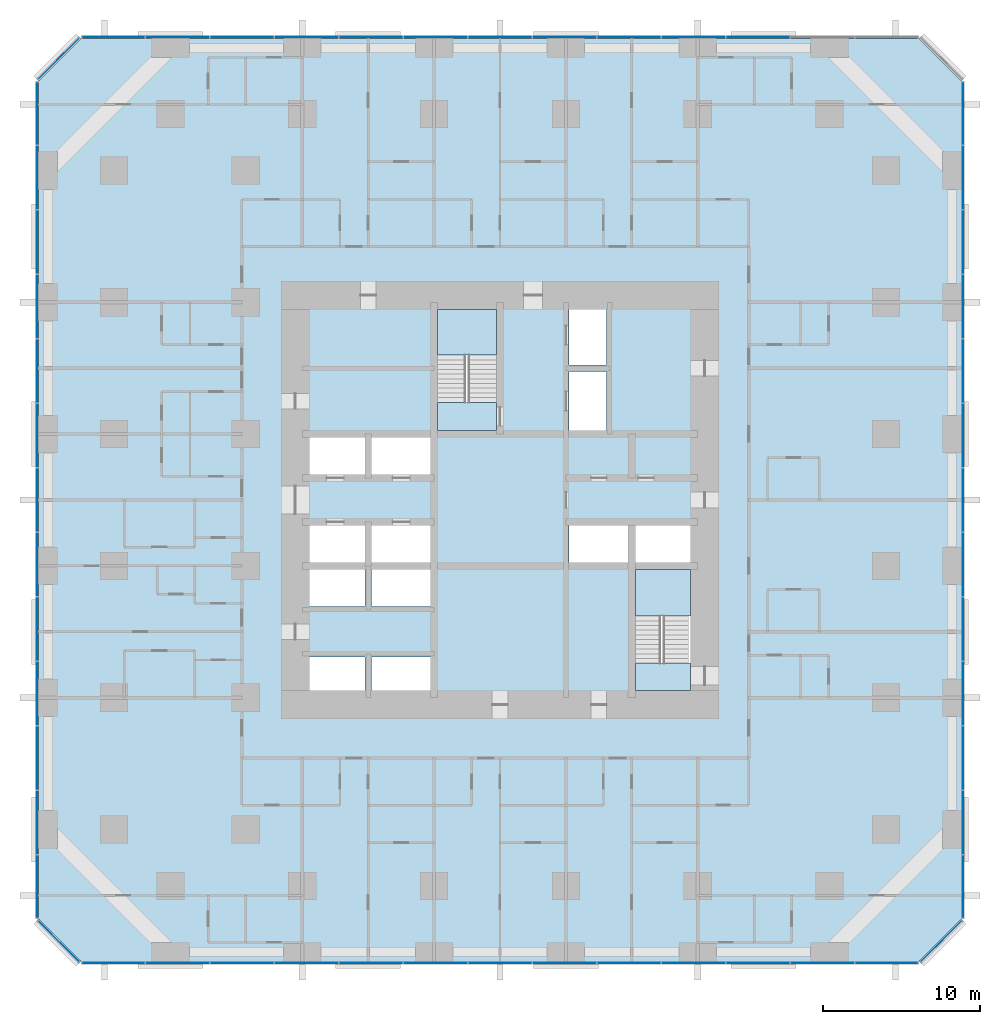
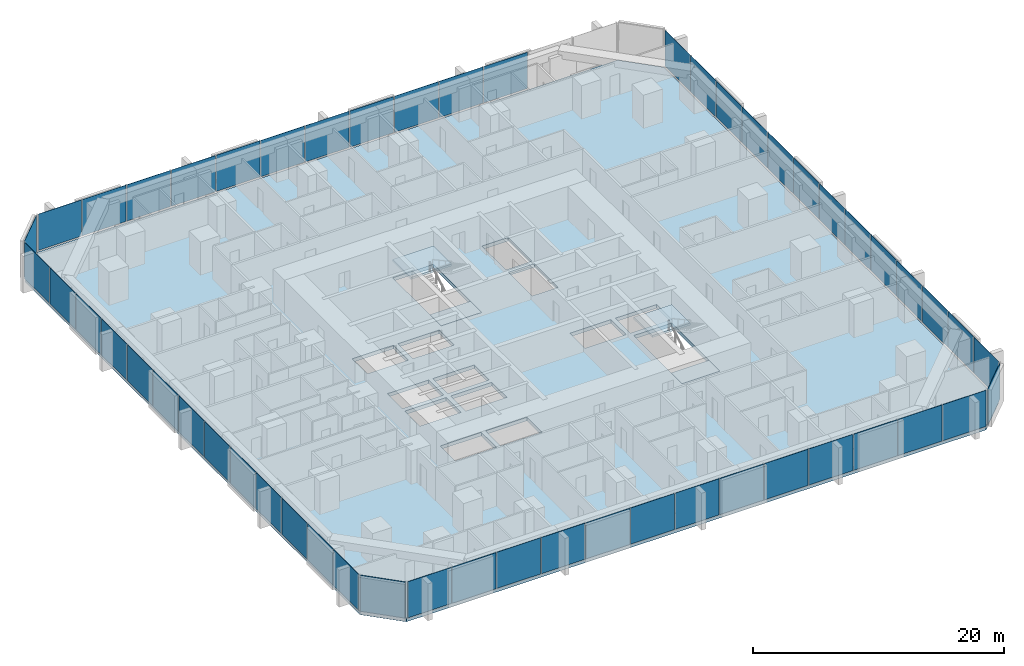
# One storey, part 9 of 17: 53 plates, 5 slabs, 9 elements without a shape of their own.
"""IFC4 building model written with IfcOpenShell, lengths in metres."""

from ifc_helpers import new_model, si_unit, direction, frame, origin, origin_2d, place, context, subcontext, project, spatial, polyline, rectangle, outline, extrude, material, layer, layer_set, type_object, element, aggregate, save


model = new_model("IFC4")

# Units and contexts
model_context = context("Model", 3, precision=1e-05, world=origin(), true_north=direction((0.0, 1.0)))
body_context = subcontext(model_context, "Body", "Model", "MODEL_VIEW")
ifc_project = project(units=[si_unit("LENGTHUNIT", "METRE"), si_unit("AREAUNIT", "SQUARE_METRE"), si_unit("VOLUMEUNIT", "CUBIC_METRE"), si_unit("PLANEANGLEUNIT", "RADIAN"), si_unit("MASSUNIT", "GRAM", prefix="KILO")], contexts=[model_context])

# Site, building, storey
site_placement = place(None, origin())
site = spatial("IfcSite", under=ifc_project, at=site_placement, CompositionType="ELEMENT")
building_placement = place(site_placement, origin())
building = spatial("IfcBuilding", under=site, at=building_placement, Name="Dunama Terrace Hotel", CompositionType="ELEMENT")
storey_placement = place(building_placement, frame((0.0, 0.0, 45.0)))
storey = spatial("IfcBuildingStorey", under=building, at=storey_placement, Name="L10", CompositionType="ELEMENT", Elevation=45.0)

# Curtain wall, plates
ifc_material_1 = material(Name="Aluminium curtain wall system", Category="aluminium")
curtain_wall_type = type_object("IfcCurtainWallType", Name="Unitised fritted glass wall CW-A", PredefinedType="NOTDEFINED", material=ifc_material_1)
curtain_wall_1_placement = place(storey_placement, origin())
curtain_wall_1 = element("IfcCurtainWall", 1, at=curtain_wall_1_placement, inside=storey, type_object=curtain_wall_type, Name="Unitised fritted glass wall CW-A L10", PredefinedType="NOTDEFINED")
ifc_material_2 = material(Name="Laminated glass", Category="glass")
ifc_layer_1 = layer(ifc_material_2, 0.030029296875)
ifc_layer_set_1 = layer_set([ifc_layer_1], Name="CWA clear glass panel")
plate_type_1 = type_object("IfcPlateType", Name="CWA clear glass panel", PredefinedType="CURTAIN_PANEL", material=ifc_layer_set_1)
plate_1_placement = place(storey_placement, frame((12.968994140625, -0.10009765625, 0.074951171875), z_axis=(0.0, 0.0, 1.0), x_axis=(1.0, 0.0, 0.0)))
plate_1 = element("IfcPlate", 2, at=plate_1_placement, type_object=plate_type_1, Name="CWA clear glass panel", PredefinedType="CURTAIN_PANEL", context=body_context, shape_type="SweptSolid", body=[
    extrude(rectangle(XDim=4.042724609375, YDim=0.030029296875, at=origin_2d()), origin(), (0.0, 0.0, 1.0), 3.52490234375),
])
plate_2_placement = place(storey_placement, frame((25.2919921875, -0.10009765625, 0.074951171875), z_axis=(0.0, 0.0, 1.0), x_axis=(1.0, 0.0, 0.0)))
plate_2 = element("IfcPlate", 3, at=plate_2_placement, type_object=plate_type_1, Name="CWA clear glass panel", PredefinedType="CURTAIN_PANEL", context=body_context, shape_type="SweptSolid", body=[
    extrude(rectangle(XDim=4.042724609375, YDim=0.030029296875, at=origin_2d()), origin(), (0.0, 0.0, 1.0), 3.52490234375),
])
plate_3_placement = place(storey_placement, frame((37.614990234375, -0.10009765625, 0.074951171875), z_axis=(0.0, 0.0, 1.0), x_axis=(1.0, 0.0, 0.0)))
plate_3 = element("IfcPlate", 4, at=plate_3_placement, type_object=plate_type_1, Name="CWA clear glass panel", PredefinedType="CURTAIN_PANEL", context=body_context, shape_type="SweptSolid", body=[
    extrude(rectangle(XDim=4.042724609375, YDim=0.030029296875, at=origin_2d()), origin(), (0.0, 0.0, 1.0), 3.52490234375),
])
plate_4_placement = place(storey_placement, frame((49.93798828125, -0.10009765625, 0.074951171875), z_axis=(0.0, 0.0, 1.0), x_axis=(1.0, 0.0, 0.0)))
plate_4 = element("IfcPlate", 5, at=plate_4_placement, type_object=plate_type_1, Name="CWA clear glass panel", PredefinedType="CURTAIN_PANEL", context=body_context, shape_type="SweptSolid", body=[
    extrude(rectangle(XDim=4.042724609375, YDim=0.030029296875, at=origin_2d()), origin(), (0.0, 0.0, 1.0), 3.52490234375),
])

curtain_wall_2_placement = place(storey_placement, origin())
curtain_wall_2 = element("IfcCurtainWall", 6, at=curtain_wall_2_placement, inside=storey, type_object=curtain_wall_type, Name="Unitised fritted glass wall CW-A L10", PredefinedType="NOTDEFINED")
plate_5_placement = place(storey_placement, frame((58.89990234375, 4.77001953125, 0.074951171875), z_axis=(0.0, 0.0, 1.0), x_axis=(0.0, 1.0, 0.0)))
plate_5 = element("IfcPlate", 7, at=plate_5_placement, type_object=plate_type_1, Name="CWA clear glass panel", PredefinedType="CURTAIN_PANEL", context=body_context, shape_type="SweptSolid", body=[
    extrude(rectangle(XDim=4.01025390625, YDim=0.030029296875, at=origin_2d()), origin(), (0.0, 0.0, 1.0), 3.52490234375),
])
plate_6_placement = place(storey_placement, frame((58.89990234375, 17.076904296875, 0.074951171875), z_axis=(0.0, 0.0, 1.0), x_axis=(0.0, 1.0, 0.0)))
plate_6 = element("IfcPlate", 8, at=plate_6_placement, type_object=plate_type_1, Name="CWA clear glass panel", PredefinedType="CURTAIN_PANEL", context=body_context, shape_type="SweptSolid", body=[
    extrude(rectangle(XDim=4.042724609375, YDim=0.030029296875, at=origin_2d()), origin(), (0.0, 0.0, 1.0), 3.52490234375),
])
plate_7_placement = place(storey_placement, frame((58.89990234375, 29.39990234375, 0.074951171875), z_axis=(0.0, 0.0, 1.0), x_axis=(0.0, 1.0, 0.0)))
plate_7 = element("IfcPlate", 9, at=plate_7_placement, type_object=plate_type_1, Name="CWA clear glass panel", PredefinedType="CURTAIN_PANEL", context=body_context, shape_type="SweptSolid", body=[
    extrude(rectangle(XDim=4.042724609375, YDim=0.030029296875, at=origin_2d()), origin(), (0.0, 0.0, 1.0), 3.52490234375),
])
plate_8_placement = place(storey_placement, frame((58.89990234375, 41.722900390625, 0.074951171875), z_axis=(0.0, 0.0, 1.0), x_axis=(0.0, 1.0, 0.0)))
plate_8 = element("IfcPlate", 10, at=plate_8_placement, type_object=plate_type_1, Name="CWA clear glass panel", PredefinedType="CURTAIN_PANEL", context=body_context, shape_type="SweptSolid", body=[
    extrude(rectangle(XDim=4.042724609375, YDim=0.030029296875, at=origin_2d()), origin(), (0.0, 0.0, 1.0), 3.52490234375),
])
plate_9_placement = place(storey_placement, frame((58.89990234375, 54.030029296875, 0.074951171875), z_axis=(0.0, 0.0, 1.0), x_axis=(0.0, 1.0, 0.0)))
plate_9 = element("IfcPlate", 11, at=plate_9_placement, type_object=plate_type_1, Name="CWA clear glass panel", PredefinedType="CURTAIN_PANEL", context=body_context, shape_type="SweptSolid", body=[
    extrude(rectangle(XDim=4.01025390625, YDim=0.030029296875, at=origin_2d()), origin(), (0.0, 0.0, 1.0), 3.52490234375),
])

curtain_wall_3_placement = place(storey_placement, origin())
curtain_wall_3 = element("IfcCurtainWall", 12, at=curtain_wall_3_placement, inside=storey, type_object=curtain_wall_type, Name="Unitised fritted glass wall CW-A L10", PredefinedType="NOTDEFINED")
plate_10_placement = place(storey_placement, frame((37.614990234375, 58.89990234375, 0.074951171875), z_axis=(0.0, 0.0, 1.0), x_axis=(-1.0, 0.0, 0.0)))
plate_10 = element("IfcPlate", 13, at=plate_10_placement, type_object=plate_type_1, Name="CWA clear glass panel", PredefinedType="CURTAIN_PANEL", context=body_context, shape_type="SweptSolid", body=[
    extrude(rectangle(XDim=4.042724609375, YDim=0.030029296875, at=origin_2d()), origin(), (0.0, 0.0, 1.0), 3.52490234375),
])
plate_11_placement = place(storey_placement, frame((25.2919921875, 58.89990234375, 0.074951171875), z_axis=(0.0, 0.0, 1.0), x_axis=(-1.0, 0.0, 0.0)))
plate_11 = element("IfcPlate", 14, at=plate_11_placement, type_object=plate_type_1, Name="CWA clear glass panel", PredefinedType="CURTAIN_PANEL", context=body_context, shape_type="SweptSolid", body=[
    extrude(rectangle(XDim=4.042724609375, YDim=0.030029296875, at=origin_2d()), origin(), (0.0, 0.0, 1.0), 3.52490234375),
])
plate_12_placement = place(storey_placement, frame((12.968994140625, 58.89990234375, 0.074951171875), z_axis=(0.0, 0.0, 1.0), x_axis=(-1.0, 0.0, 0.0)))
plate_12 = element("IfcPlate", 15, at=plate_12_placement, type_object=plate_type_1, Name="CWA clear glass panel", PredefinedType="CURTAIN_PANEL", context=body_context, shape_type="SweptSolid", body=[
    extrude(rectangle(XDim=4.042724609375, YDim=0.030029296875, at=origin_2d()), origin(), (0.0, 0.0, 1.0), 3.52490234375),
])

# Curtain wall, plate
curtain_wall_4_placement = place(storey_placement, origin())
curtain_wall_4 = element("IfcCurtainWall", 16, at=curtain_wall_4_placement, inside=storey, type_object=curtain_wall_type, Name="Unitised fritted glass wall CW-A L10", PredefinedType="NOTDEFINED")
plate_13_placement = place(storey_placement, frame((1.279052734375, 57.52099609375, 0.074951171875), z_axis=(0.0, 0.0, 1.0), x_axis=(-0.707106781187, -0.707106781187, 0.0)))
plate_13 = element("IfcPlate", 17, at=plate_13_placement, type_object=plate_type_1, Name="CWA clear glass panel", PredefinedType="CURTAIN_PANEL", context=body_context, shape_type="SweptSolid", body=[
    extrude(rectangle(XDim=3.6884765625, YDim=0.030029296875, at=origin_2d()), origin(), (0.0, 0.0, 1.0), 3.52490234375),
])
aggregate(curtain_wall_4, [plate_13])

# Curtain wall, plates
curtain_wall_5_placement = place(storey_placement, origin())
curtain_wall_5 = element("IfcCurtainWall", 18, at=curtain_wall_5_placement, inside=storey, type_object=curtain_wall_type, Name="Unitised fritted glass wall CW-A L10", PredefinedType="NOTDEFINED")
plate_14_placement = place(storey_placement, frame((-0.10009765625, 45.8310546875, 0.074951171875), z_axis=(0.0, 0.0, 1.0), x_axis=(0.0, -1.0, 0.0)))
plate_14 = element("IfcPlate", 19, at=plate_14_placement, type_object=plate_type_1, Name="CWA clear glass panel", PredefinedType="CURTAIN_PANEL", context=body_context, shape_type="SweptSolid", body=[
    extrude(rectangle(XDim=4.042724609375, YDim=0.030029296875, at=origin_2d()), origin(), (0.0, 0.0, 1.0), 3.52490234375),
])
plate_15_placement = place(storey_placement, frame((-0.10009765625, 33.508056640625, 0.074951171875), z_axis=(0.0, 0.0, 1.0), x_axis=(0.0, -1.0, 0.0)))
plate_15 = element("IfcPlate", 20, at=plate_15_placement, type_object=plate_type_1, Name="CWA clear glass panel", PredefinedType="CURTAIN_PANEL", context=body_context, shape_type="SweptSolid", body=[
    extrude(rectangle(XDim=4.042724609375, YDim=0.030029296875, at=origin_2d()), origin(), (0.0, 0.0, 1.0), 3.52490234375),
])
plate_16_placement = place(storey_placement, frame((-0.10009765625, 21.18505859375, 0.074951171875), z_axis=(0.0, 0.0, 1.0), x_axis=(0.0, -1.0, 0.0)))
plate_16 = element("IfcPlate", 21, at=plate_16_placement, type_object=plate_type_1, Name="CWA clear glass panel", PredefinedType="CURTAIN_PANEL", context=body_context, shape_type="SweptSolid", body=[
    extrude(rectangle(XDim=4.042724609375, YDim=0.030029296875, at=origin_2d()), origin(), (0.0, 0.0, 1.0), 3.52490234375),
])
plate_17_placement = place(storey_placement, frame((-0.10009765625, 8.862060546875, 0.074951171875), z_axis=(0.0, 0.0, 1.0), x_axis=(0.0, -1.0, 0.0)))
plate_17 = element("IfcPlate", 22, at=plate_17_placement, type_object=plate_type_1, Name="CWA clear glass panel", PredefinedType="CURTAIN_PANEL", context=body_context, shape_type="SweptSolid", body=[
    extrude(rectangle(XDim=4.042724609375, YDim=0.030029296875, at=origin_2d()), origin(), (0.0, 0.0, 1.0), 3.52490234375),
])

# Plate
ifc_material_3 = material(Name="Fritted laminated glass", Category="glass")
ifc_layer_2 = layer(ifc_material_3, 0.030029296875)
ifc_layer_set_2 = layer_set([ifc_layer_2], Name="CWA fritted glass panel")
plate_type_2 = type_object("IfcPlateType", Name="CWA fritted glass panel", PredefinedType="CURTAIN_PANEL", material=ifc_layer_set_2)
plate_18_placement = place(storey_placement, frame((8.862060546875, -0.10009765625, 0.074951171875), z_axis=(0.0, 0.0, 1.0), x_axis=(1.0, 0.0, 0.0)))
plate_18 = element("IfcPlate", 23, at=plate_18_placement, type_object=plate_type_2, Name="CWA fritted glass panel", PredefinedType="CURTAIN_PANEL", context=body_context, shape_type="SweptSolid", body=[
    extrude(rectangle(XDim=4.042724609375, YDim=0.030029296875, at=origin_2d()), origin(), (0.0, 0.0, 1.0), 3.52490234375),
])

plate_19_placement = place(storey_placement, frame((21.18505859375, -0.10009765625, 0.074951171875), z_axis=(0.0, 0.0, 1.0), x_axis=(1.0, 0.0, 0.0)))
plate_19 = element("IfcPlate", 24, at=plate_19_placement, type_object=plate_type_2, Name="CWA fritted glass panel", PredefinedType="CURTAIN_PANEL", context=body_context, shape_type="SweptSolid", body=[
    extrude(rectangle(XDim=4.042724609375, YDim=0.030029296875, at=origin_2d()), origin(), (0.0, 0.0, 1.0), 3.52490234375),
])

plate_20_placement = place(storey_placement, frame((33.508056640625, -0.10009765625, 0.074951171875), z_axis=(0.0, 0.0, 1.0), x_axis=(1.0, 0.0, 0.0)))
plate_20 = element("IfcPlate", 25, at=plate_20_placement, type_object=plate_type_2, Name="CWA fritted glass panel", PredefinedType="CURTAIN_PANEL", context=body_context, shape_type="SweptSolid", body=[
    extrude(rectangle(XDim=4.042724609375, YDim=0.030029296875, at=origin_2d()), origin(), (0.0, 0.0, 1.0), 3.52490234375),
])

plate_21_placement = place(storey_placement, frame((45.8310546875, -0.10009765625, 0.074951171875), z_axis=(0.0, 0.0, 1.0), x_axis=(1.0, 0.0, 0.0)))
plate_21 = element("IfcPlate", 26, at=plate_21_placement, type_object=plate_type_2, Name="CWA fritted glass panel", PredefinedType="CURTAIN_PANEL", context=body_context, shape_type="SweptSolid", body=[
    extrude(rectangle(XDim=4.042724609375, YDim=0.030029296875, at=origin_2d()), origin(), (0.0, 0.0, 1.0), 3.52490234375),
])

# Curtain wall, plate
curtain_wall_6_placement = place(storey_placement, origin())
curtain_wall_6 = element("IfcCurtainWall", 27, at=curtain_wall_6_placement, inside=storey, type_object=curtain_wall_type, Name="Unitised fritted glass wall CW-A L10", PredefinedType="NOTDEFINED")
plate_22_placement = place(storey_placement, frame((57.52099609375, 1.279052734375, 0.074951171875), z_axis=(0.0, 0.0, 1.0), x_axis=(0.707106781187, 0.707106781187, 0.0)))
plate_22 = element("IfcPlate", 28, at=plate_22_placement, type_object=plate_type_2, Name="CWA fritted glass panel", PredefinedType="CURTAIN_PANEL", context=body_context, shape_type="SweptSolid", body=[
    extrude(rectangle(XDim=3.6884765625, YDim=0.030029296875, at=origin_2d()), origin(), (0.0, 0.0, 1.0), 3.52490234375),
])
aggregate(curtain_wall_6, [plate_22])

# Plate
plate_23_placement = place(storey_placement, frame((58.89990234375, 12.968994140625, 0.074951171875), z_axis=(0.0, 0.0, 1.0), x_axis=(0.0, 1.0, 0.0)))
plate_23 = element("IfcPlate", 29, at=plate_23_placement, type_object=plate_type_2, Name="CWA fritted glass panel", PredefinedType="CURTAIN_PANEL", context=body_context, shape_type="SweptSolid", body=[
    extrude(rectangle(XDim=4.042724609375, YDim=0.030029296875, at=origin_2d()), origin(), (0.0, 0.0, 1.0), 3.52490234375),
])

plate_24_placement = place(storey_placement, frame((58.89990234375, 25.2919921875, 0.074951171875), z_axis=(0.0, 0.0, 1.0), x_axis=(0.0, 1.0, 0.0)))
plate_24 = element("IfcPlate", 30, at=plate_24_placement, type_object=plate_type_2, Name="CWA fritted glass panel", PredefinedType="CURTAIN_PANEL", context=body_context, shape_type="SweptSolid", body=[
    extrude(rectangle(XDim=4.042724609375, YDim=0.030029296875, at=origin_2d()), origin(), (0.0, 0.0, 1.0), 3.52490234375),
])

plate_25_placement = place(storey_placement, frame((58.89990234375, 37.614990234375, 0.074951171875), z_axis=(0.0, 0.0, 1.0), x_axis=(0.0, 1.0, 0.0)))
plate_25 = element("IfcPlate", 31, at=plate_25_placement, type_object=plate_type_2, Name="CWA fritted glass panel", PredefinedType="CURTAIN_PANEL", context=body_context, shape_type="SweptSolid", body=[
    extrude(rectangle(XDim=4.042724609375, YDim=0.030029296875, at=origin_2d()), origin(), (0.0, 0.0, 1.0), 3.52490234375),
])

plate_26_placement = place(storey_placement, frame((58.89990234375, 49.93798828125, 0.074951171875), z_axis=(0.0, 0.0, 1.0), x_axis=(0.0, 1.0, 0.0)))
plate_26 = element("IfcPlate", 32, at=plate_26_placement, type_object=plate_type_2, Name="CWA fritted glass panel", PredefinedType="CURTAIN_PANEL", context=body_context, shape_type="SweptSolid", body=[
    extrude(rectangle(XDim=4.042724609375, YDim=0.030029296875, at=origin_2d()), origin(), (0.0, 0.0, 1.0), 3.52490234375),
])

plate_27_placement = place(storey_placement, frame((41.722900390625, 58.89990234375, 0.074951171875), z_axis=(0.0, 0.0, 1.0), x_axis=(-1.0, 0.0, 0.0)))
plate_27 = element("IfcPlate", 33, at=plate_27_placement, type_object=plate_type_2, Name="CWA fritted glass panel", PredefinedType="CURTAIN_PANEL", context=body_context, shape_type="SweptSolid", body=[
    extrude(rectangle(XDim=4.042724609375, YDim=0.030029296875, at=origin_2d()), origin(), (0.0, 0.0, 1.0), 3.52490234375),
])

plate_28_placement = place(storey_placement, frame((29.39990234375, 58.89990234375, 0.074951171875), z_axis=(0.0, 0.0, 1.0), x_axis=(-1.0, 0.0, 0.0)))
plate_28 = element("IfcPlate", 34, at=plate_28_placement, type_object=plate_type_2, Name="CWA fritted glass panel", PredefinedType="CURTAIN_PANEL", context=body_context, shape_type="SweptSolid", body=[
    extrude(rectangle(XDim=4.042724609375, YDim=0.030029296875, at=origin_2d()), origin(), (0.0, 0.0, 1.0), 3.52490234375),
])

plate_29_placement = place(storey_placement, frame((17.076904296875, 58.89990234375, 0.074951171875), z_axis=(0.0, 0.0, 1.0), x_axis=(-1.0, 0.0, 0.0)))
plate_29 = element("IfcPlate", 35, at=plate_29_placement, type_object=plate_type_2, Name="CWA fritted glass panel", PredefinedType="CURTAIN_PANEL", context=body_context, shape_type="SweptSolid", body=[
    extrude(rectangle(XDim=4.042724609375, YDim=0.030029296875, at=origin_2d()), origin(), (0.0, 0.0, 1.0), 3.52490234375),
])

plate_30_placement = place(storey_placement, frame((4.77001953125, 58.89990234375, 0.074951171875), z_axis=(0.0, 0.0, 1.0), x_axis=(-1.0, 0.0, 0.0)))
plate_30 = element("IfcPlate", 36, at=plate_30_placement, type_object=plate_type_2, Name="CWA fritted glass panel", PredefinedType="CURTAIN_PANEL", context=body_context, shape_type="SweptSolid", body=[
    extrude(rectangle(XDim=4.01025390625, YDim=0.030029296875, at=origin_2d()), origin(), (0.0, 0.0, 1.0), 3.52490234375),
])

plate_31_placement = place(storey_placement, frame((-0.10009765625, 49.93798828125, 0.074951171875), z_axis=(0.0, 0.0, 1.0), x_axis=(0.0, -1.0, 0.0)))
plate_31 = element("IfcPlate", 37, at=plate_31_placement, type_object=plate_type_2, Name="CWA fritted glass panel", PredefinedType="CURTAIN_PANEL", context=body_context, shape_type="SweptSolid", body=[
    extrude(rectangle(XDim=4.042724609375, YDim=0.030029296875, at=origin_2d()), origin(), (0.0, 0.0, 1.0), 3.52490234375),
])

plate_32_placement = place(storey_placement, frame((-0.10009765625, 37.614990234375, 0.074951171875), z_axis=(0.0, 0.0, 1.0), x_axis=(0.0, -1.0, 0.0)))
plate_32 = element("IfcPlate", 38, at=plate_32_placement, type_object=plate_type_2, Name="CWA fritted glass panel", PredefinedType="CURTAIN_PANEL", context=body_context, shape_type="SweptSolid", body=[
    extrude(rectangle(XDim=4.042724609375, YDim=0.030029296875, at=origin_2d()), origin(), (0.0, 0.0, 1.0), 3.52490234375),
])

plate_33_placement = place(storey_placement, frame((-0.10009765625, 25.2919921875, 0.074951171875), z_axis=(0.0, 0.0, 1.0), x_axis=(0.0, -1.0, 0.0)))
plate_33 = element("IfcPlate", 39, at=plate_33_placement, type_object=plate_type_2, Name="CWA fritted glass panel", PredefinedType="CURTAIN_PANEL", context=body_context, shape_type="SweptSolid", body=[
    extrude(rectangle(XDim=4.042724609375, YDim=0.030029296875, at=origin_2d()), origin(), (0.0, 0.0, 1.0), 3.52490234375),
])

plate_34_placement = place(storey_placement, frame((-0.10009765625, 12.968994140625, 0.074951171875), z_axis=(0.0, 0.0, 1.0), x_axis=(0.0, -1.0, 0.0)))
plate_34 = element("IfcPlate", 40, at=plate_34_placement, type_object=plate_type_2, Name="CWA fritted glass panel", PredefinedType="CURTAIN_PANEL", context=body_context, shape_type="SweptSolid", body=[
    extrude(rectangle(XDim=4.042724609375, YDim=0.030029296875, at=origin_2d()), origin(), (0.0, 0.0, 1.0), 3.52490234375),
])

# Curtain wall, plate
curtain_wall_7_placement = place(storey_placement, origin())
curtain_wall_7 = element("IfcCurtainWall", 41, at=curtain_wall_7_placement, inside=storey, type_object=curtain_wall_type, Name="Unitised fritted glass wall CW-A L10", PredefinedType="NOTDEFINED")
plate_35_placement = place(storey_placement, frame((1.279052734375, 1.279052734375, 0.074951171875), z_axis=(0.0, 0.0, 1.0), x_axis=(0.707106781187, -0.707106781187, 0.0)))
plate_35 = element("IfcPlate", 42, at=plate_35_placement, type_object=plate_type_2, Name="CWA fritted glass panel", PredefinedType="CURTAIN_PANEL", context=body_context, shape_type="SweptSolid", body=[
    extrude(rectangle(XDim=3.6884765625, YDim=0.030029296875, at=origin_2d()), origin(), (0.0, 0.0, 1.0), 3.52490234375),
])
aggregate(curtain_wall_7, [plate_35])

# Plate
ifc_material_4 = material(Name="Laminated glass", Category="glass")
ifc_layer_3 = layer(ifc_material_4, 0.030029296875)
ifc_layer_set_3 = layer_set([ifc_layer_3], Name="CWA operable glass panel")
plate_type_3 = type_object("IfcPlateType", Name="CWA operable glass panel", PredefinedType="CURTAIN_PANEL", material=ifc_layer_set_3)
plate_36_placement = place(storey_placement, frame((4.77001953125, -0.10009765625, 0.074951171875), z_axis=(0.0, 0.0, 1.0), x_axis=(1.0, 0.0, 0.0)))
plate_36 = element("IfcPlate", 43, at=plate_36_placement, type_object=plate_type_3, Name="CWA operable glass panel", PredefinedType="CURTAIN_PANEL", context=body_context, shape_type="SweptSolid", body=[
    extrude(rectangle(XDim=4.01025390625, YDim=0.030029296875, at=origin_2d()), origin(), (0.0, 0.0, 1.0), 3.52490234375),
])

plate_37_placement = place(storey_placement, frame((17.076904296875, -0.10009765625, 0.074951171875), z_axis=(0.0, 0.0, 1.0), x_axis=(1.0, 0.0, 0.0)))
plate_37 = element("IfcPlate", 44, at=plate_37_placement, type_object=plate_type_3, Name="CWA operable glass panel", PredefinedType="CURTAIN_PANEL", context=body_context, shape_type="SweptSolid", body=[
    extrude(rectangle(XDim=4.042724609375, YDim=0.030029296875, at=origin_2d()), origin(), (0.0, 0.0, 1.0), 3.52490234375),
])

plate_38_placement = place(storey_placement, frame((29.39990234375, -0.10009765625, 0.074951171875), z_axis=(0.0, 0.0, 1.0), x_axis=(1.0, 0.0, 0.0)))
plate_38 = element("IfcPlate", 45, at=plate_38_placement, type_object=plate_type_3, Name="CWA operable glass panel", PredefinedType="CURTAIN_PANEL", context=body_context, shape_type="SweptSolid", body=[
    extrude(rectangle(XDim=4.042724609375, YDim=0.030029296875, at=origin_2d()), origin(), (0.0, 0.0, 1.0), 3.52490234375),
])

plate_39_placement = place(storey_placement, frame((41.722900390625, -0.10009765625, 0.074951171875), z_axis=(0.0, 0.0, 1.0), x_axis=(1.0, 0.0, 0.0)))
plate_39 = element("IfcPlate", 46, at=plate_39_placement, type_object=plate_type_3, Name="CWA operable glass panel", PredefinedType="CURTAIN_PANEL", context=body_context, shape_type="SweptSolid", body=[
    extrude(rectangle(XDim=4.042724609375, YDim=0.030029296875, at=origin_2d()), origin(), (0.0, 0.0, 1.0), 3.52490234375),
])

plate_40_placement = place(storey_placement, frame((54.030029296875, -0.10009765625, 0.074951171875), z_axis=(0.0, 0.0, 1.0), x_axis=(1.0, 0.0, 0.0)))
plate_40 = element("IfcPlate", 47, at=plate_40_placement, type_object=plate_type_3, Name="CWA operable glass panel", PredefinedType="CURTAIN_PANEL", context=body_context, shape_type="SweptSolid", body=[
    extrude(rectangle(XDim=4.01025390625, YDim=0.030029296875, at=origin_2d()), origin(), (0.0, 0.0, 1.0), 3.52490234375),
])

aggregate(curtain_wall_1, [plate_36, plate_18, plate_1, plate_37, plate_19, plate_2, plate_38, plate_20, plate_3, plate_39, plate_21, plate_4, plate_40])

plate_41_placement = place(storey_placement, frame((58.89990234375, 8.862060546875, 0.074951171875), z_axis=(0.0, 0.0, 1.0), x_axis=(0.0, 1.0, 0.0)))
plate_41 = element("IfcPlate", 48, at=plate_41_placement, type_object=plate_type_3, Name="CWA operable glass panel", PredefinedType="CURTAIN_PANEL", context=body_context, shape_type="SweptSolid", body=[
    extrude(rectangle(XDim=4.042724609375, YDim=0.030029296875, at=origin_2d()), origin(), (0.0, 0.0, 1.0), 3.52490234375),
])

plate_42_placement = place(storey_placement, frame((58.89990234375, 21.18505859375, 0.074951171875), z_axis=(0.0, 0.0, 1.0), x_axis=(0.0, 1.0, 0.0)))
plate_42 = element("IfcPlate", 49, at=plate_42_placement, type_object=plate_type_3, Name="CWA operable glass panel", PredefinedType="CURTAIN_PANEL", context=body_context, shape_type="SweptSolid", body=[
    extrude(rectangle(XDim=4.042724609375, YDim=0.030029296875, at=origin_2d()), origin(), (0.0, 0.0, 1.0), 3.52490234375),
])

plate_43_placement = place(storey_placement, frame((58.89990234375, 33.508056640625, 0.074951171875), z_axis=(0.0, 0.0, 1.0), x_axis=(0.0, 1.0, 0.0)))
plate_43 = element("IfcPlate", 50, at=plate_43_placement, type_object=plate_type_3, Name="CWA operable glass panel", PredefinedType="CURTAIN_PANEL", context=body_context, shape_type="SweptSolid", body=[
    extrude(rectangle(XDim=4.042724609375, YDim=0.030029296875, at=origin_2d()), origin(), (0.0, 0.0, 1.0), 3.52490234375),
])

plate_44_placement = place(storey_placement, frame((58.89990234375, 45.8310546875, 0.074951171875), z_axis=(0.0, 0.0, 1.0), x_axis=(0.0, 1.0, 0.0)))
plate_44 = element("IfcPlate", 51, at=plate_44_placement, type_object=plate_type_3, Name="CWA operable glass panel", PredefinedType="CURTAIN_PANEL", context=body_context, shape_type="SweptSolid", body=[
    extrude(rectangle(XDim=4.042724609375, YDim=0.030029296875, at=origin_2d()), origin(), (0.0, 0.0, 1.0), 3.52490234375),
])

aggregate(curtain_wall_2, [plate_5, plate_41, plate_23, plate_6, plate_42, plate_24, plate_7, plate_43, plate_25, plate_8, plate_44, plate_26, plate_9])

plate_45_placement = place(storey_placement, frame((45.8310546875, 58.89990234375, 0.074951171875), z_axis=(0.0, 0.0, 1.0), x_axis=(-1.0, 0.0, 0.0)))
plate_45 = element("IfcPlate", 52, at=plate_45_placement, type_object=plate_type_3, Name="CWA operable glass panel", PredefinedType="CURTAIN_PANEL", context=body_context, shape_type="SweptSolid", body=[
    extrude(rectangle(XDim=4.042724609375, YDim=0.030029296875, at=origin_2d()), origin(), (0.0, 0.0, 1.0), 3.52490234375),
])

plate_46_placement = place(storey_placement, frame((33.508056640625, 58.89990234375, 0.074951171875), z_axis=(0.0, 0.0, 1.0), x_axis=(-1.0, 0.0, 0.0)))
plate_46 = element("IfcPlate", 53, at=plate_46_placement, type_object=plate_type_3, Name="CWA operable glass panel", PredefinedType="CURTAIN_PANEL", context=body_context, shape_type="SweptSolid", body=[
    extrude(rectangle(XDim=4.042724609375, YDim=0.030029296875, at=origin_2d()), origin(), (0.0, 0.0, 1.0), 3.52490234375),
])

plate_47_placement = place(storey_placement, frame((21.18505859375, 58.89990234375, 0.074951171875), z_axis=(0.0, 0.0, 1.0), x_axis=(-1.0, 0.0, 0.0)))
plate_47 = element("IfcPlate", 54, at=plate_47_placement, type_object=plate_type_3, Name="CWA operable glass panel", PredefinedType="CURTAIN_PANEL", context=body_context, shape_type="SweptSolid", body=[
    extrude(rectangle(XDim=4.042724609375, YDim=0.030029296875, at=origin_2d()), origin(), (0.0, 0.0, 1.0), 3.52490234375),
])

plate_48_placement = place(storey_placement, frame((8.862060546875, 58.89990234375, 0.074951171875), z_axis=(0.0, 0.0, 1.0), x_axis=(-1.0, 0.0, 0.0)))
plate_48 = element("IfcPlate", 55, at=plate_48_placement, type_object=plate_type_3, Name="CWA operable glass panel", PredefinedType="CURTAIN_PANEL", context=body_context, shape_type="SweptSolid", body=[
    extrude(rectangle(XDim=4.042724609375, YDim=0.030029296875, at=origin_2d()), origin(), (0.0, 0.0, 1.0), 3.52490234375),
])

aggregate(curtain_wall_3, [plate_45, plate_27, plate_10, plate_46, plate_28, plate_11, plate_47, plate_29, plate_12, plate_48, plate_30])

plate_49_placement = place(storey_placement, frame((-0.10009765625, 54.030029296875, 0.074951171875), z_axis=(0.0, 0.0, 1.0), x_axis=(0.0, -1.0, 0.0)))
plate_49 = element("IfcPlate", 56, at=plate_49_placement, type_object=plate_type_3, Name="CWA operable glass panel", PredefinedType="CURTAIN_PANEL", context=body_context, shape_type="SweptSolid", body=[
    extrude(rectangle(XDim=4.01025390625, YDim=0.030029296875, at=origin_2d()), origin(), (0.0, 0.0, 1.0), 3.52490234375),
])

plate_50_placement = place(storey_placement, frame((-0.10009765625, 41.722900390625, 0.074951171875), z_axis=(0.0, 0.0, 1.0), x_axis=(0.0, -1.0, 0.0)))
plate_50 = element("IfcPlate", 57, at=plate_50_placement, type_object=plate_type_3, Name="CWA operable glass panel", PredefinedType="CURTAIN_PANEL", context=body_context, shape_type="SweptSolid", body=[
    extrude(rectangle(XDim=4.042724609375, YDim=0.030029296875, at=origin_2d()), origin(), (0.0, 0.0, 1.0), 3.52490234375),
])

plate_51_placement = place(storey_placement, frame((-0.10009765625, 29.39990234375, 0.074951171875), z_axis=(0.0, 0.0, 1.0), x_axis=(0.0, -1.0, 0.0)))
plate_51 = element("IfcPlate", 58, at=plate_51_placement, type_object=plate_type_3, Name="CWA operable glass panel", PredefinedType="CURTAIN_PANEL", context=body_context, shape_type="SweptSolid", body=[
    extrude(rectangle(XDim=4.042724609375, YDim=0.030029296875, at=origin_2d()), origin(), (0.0, 0.0, 1.0), 3.52490234375),
])

plate_52_placement = place(storey_placement, frame((-0.10009765625, 17.076904296875, 0.074951171875), z_axis=(0.0, 0.0, 1.0), x_axis=(0.0, -1.0, 0.0)))
plate_52 = element("IfcPlate", 59, at=plate_52_placement, type_object=plate_type_3, Name="CWA operable glass panel", PredefinedType="CURTAIN_PANEL", context=body_context, shape_type="SweptSolid", body=[
    extrude(rectangle(XDim=4.042724609375, YDim=0.030029296875, at=origin_2d()), origin(), (0.0, 0.0, 1.0), 3.52490234375),
])

plate_53_placement = place(storey_placement, frame((-0.10009765625, 4.77001953125, 0.074951171875), z_axis=(0.0, 0.0, 1.0), x_axis=(0.0, -1.0, 0.0)))
plate_53 = element("IfcPlate", 60, at=plate_53_placement, type_object=plate_type_3, Name="CWA operable glass panel", PredefinedType="CURTAIN_PANEL", context=body_context, shape_type="SweptSolid", body=[
    extrude(rectangle(XDim=4.01025390625, YDim=0.030029296875, at=origin_2d()), origin(), (0.0, 0.0, 1.0), 3.52490234375),
])

aggregate(curtain_wall_5, [plate_49, plate_31, plate_14, plate_50, plate_32, plate_15, plate_51, plate_33, plate_16, plate_52, plate_34, plate_17, plate_53])

# Slab
ifc_material_5 = material(Name="Concrete C40/50", Category="concrete")
ifc_layer_4 = layer(ifc_material_5, 0.35009765625)
ifc_layer_set_4 = layer_set([ifc_layer_4], Name="Flat plate 350")
slab_type_1 = type_object("IfcSlabType", Name="Flat plate 350", PredefinedType="FLOOR", material=ifc_layer_set_4)
slab_1_placement = place(storey_placement, frame((0.0, 0.0, -0.35009765625)))
element("IfcSlab", 61, at=slab_1_placement, inside=storey, type_object=slab_type_1, Name="Floor slab L10", PredefinedType="FLOOR", context=body_context, shape_type="SweptSolid", body=[
    extrude(outline(polyline([(2.699951171875, 0.0), (56.10009765625, 0.0), (58.800048828125, 2.699951171875), (58.800048828125, 56.10009765625), (56.10009765625, 58.800048828125), (2.699951171875, 58.800048828125), (0.0, 56.10009765625), (0.0, 2.699951171875), (2.699951171875, 0.0)]), holes=[polyline([(20.800048828125, 25.39990234375), (20.800048828125, 27.800048828125), (17.0, 27.800048828125), (17.0, 25.39990234375), (20.800048828125, 25.39990234375)]), polyline([(25.0, 25.39990234375), (25.0, 27.800048828125), (21.199951171875, 27.800048828125), (21.199951171875, 25.39990234375), (25.0, 25.39990234375)]), polyline([(20.800048828125, 31.0), (20.800048828125, 33.39990234375), (17.0, 33.39990234375), (17.0, 31.0), (20.800048828125, 31.0)]), polyline([(25.0, 31.0), (25.0, 33.39990234375), (21.199951171875, 33.39990234375), (21.199951171875, 31.0), (25.0, 31.0)]), polyline([(37.60009765625, 25.39990234375), (37.60009765625, 27.800048828125), (33.800048828125, 27.800048828125), (33.800048828125, 25.39990234375), (37.60009765625, 25.39990234375)]), polyline([(41.800048828125, 25.39990234375), (41.800048828125, 27.800048828125), (38.0, 27.800048828125), (38.0, 25.39990234375), (41.800048828125, 25.39990234375)]), polyline([(20.800048828125, 17.0), (20.800048828125, 19.39990234375), (17.0, 19.39990234375), (17.0, 17.0), (20.800048828125, 17.0)]), polyline([(25.0, 17.0), (25.0, 19.39990234375), (21.199951171875, 19.39990234375), (21.199951171875, 17.0), (25.0, 17.0)]), polyline([(20.800048828125, 22.60009765625), (20.800048828125, 25.0), (17.0, 25.0), (17.0, 22.60009765625), (20.800048828125, 22.60009765625)]), polyline([(25.0, 22.60009765625), (25.0, 25.0), (21.199951171875, 25.0), (21.199951171875, 22.60009765625), (25.0, 22.60009765625)]), polyline([(36.199951171875, 38.0), (36.199951171875, 41.800048828125), (33.800048828125, 41.800048828125), (33.800048828125, 38.0), (36.199951171875, 38.0)]), polyline([(36.199951171875, 33.800048828125), (36.199951171875, 37.60009765625), (33.800048828125, 37.60009765625), (33.800048828125, 33.800048828125), (36.199951171875, 33.800048828125)]), polyline([(29.175048828125, 33.824951171875), (29.175048828125, 41.550048828125), (25.425048828125, 41.550048828125), (25.425048828125, 33.824951171875), (29.175048828125, 33.824951171875)]), polyline([(41.550048828125, 17.25), (41.550048828125, 24.97509765625), (38.050048828125, 24.97509765625), (38.050048828125, 17.25), (41.550048828125, 17.25)])]), origin(), (0.0, 0.0, 1.0), 0.35009765625),
])

# Stair, slabs
ifc_material_6 = material(Name="Concrete C40/50", Category="concrete")
stair_type_1 = type_object("IfcStairType", Name="Stair ST1-3600-1800", PredefinedType="HALF_TURN_STAIR", material=ifc_material_6)
stair_1_placement = place(storey_placement, origin())
stair_1 = element("IfcStair", 62, at=stair_1_placement, inside=storey, type_object=stair_type_1, Name="Stair ST1 L10", PredefinedType="HALF_TURN_STAIR")
ifc_material_7 = material(Name="Concrete C40/50", Category="concrete")
ifc_layer_5 = layer(ifc_material_7, 0.199951171875)
ifc_layer_set_5 = layer_set([ifc_layer_5], Name="Stair landing 200")
slab_type_2 = type_object("IfcSlabType", Name="Stair landing 200", PredefinedType="LANDING", material=ifc_layer_set_5)
slab_2_placement = place(storey_placement, frame((0.0, 0.0, -0.199951171875)))
slab_2 = element("IfcSlab", 63, at=slab_2_placement, type_object=slab_type_2, Name="ST1 landing 1, type S10", PredefinedType="LANDING", context=body_context, shape_type="SweptSolid", body=[
    extrude(outline(polyline([(25.425048828125, 33.824951171875), (29.175048828125, 33.824951171875), (29.175048828125, 35.625), (25.425048828125, 35.625), (25.425048828125, 33.824951171875)])), origin(), (0.0, 0.0, 1.0), 0.199951171875),
])
slab_3_placement = place(storey_placement, frame((0.0, 0.0, 1.60009765625)))
slab_3 = element("IfcSlab", 64, at=slab_3_placement, type_object=slab_type_2, Name="ST1 landing 2, type S10", PredefinedType="LANDING", context=body_context, shape_type="SweptSolid", body=[
    extrude(outline(polyline([(25.425048828125, 38.625), (29.175048828125, 38.625), (29.175048828125, 41.550048828125), (25.425048828125, 41.550048828125), (25.425048828125, 38.625)])), origin(), (0.0, 0.0, 1.0), 0.199951171875),
])
aggregate(stair_1, [slab_2, slab_3])

ifc_material_8 = material(Name="Concrete C40/50", Category="concrete")
stair_type_2 = type_object("IfcStairType", Name="Stair ST2-3600-1600", PredefinedType="HALF_TURN_STAIR", material=ifc_material_8)
stair_2_placement = place(storey_placement, origin())
stair_2 = element("IfcStair", 65, at=stair_2_placement, inside=storey, type_object=stair_type_2, Name="Stair ST2 L10", PredefinedType="HALF_TURN_STAIR")
slab_4_placement = place(storey_placement, frame((0.0, 0.0, -0.199951171875)))
slab_4 = element("IfcSlab", 66, at=slab_4_placement, type_object=slab_type_2, Name="ST2 landing 1, type S10", PredefinedType="LANDING", context=body_context, shape_type="SweptSolid", body=[
    extrude(outline(polyline([(38.050048828125, 17.25), (41.550048828125, 17.25), (41.550048828125, 19.0), (38.050048828125, 19.0), (38.050048828125, 17.25)])), origin(), (0.0, 0.0, 1.0), 0.199951171875),
])
slab_5_placement = place(storey_placement, frame((0.0, 0.0, 1.60009765625)))
slab_5 = element("IfcSlab", 67, at=slab_5_placement, type_object=slab_type_2, Name="ST2 landing 2, type S10", PredefinedType="LANDING", context=body_context, shape_type="SweptSolid", body=[
    extrude(outline(polyline([(38.050048828125, 22.0), (41.550048828125, 22.0), (41.550048828125, 24.97509765625), (38.050048828125, 24.97509765625), (38.050048828125, 22.0)])), origin(), (0.0, 0.0, 1.0), 0.199951171875),
])
aggregate(stair_2, [slab_4, slab_5])

save(model, "model.ifc")
